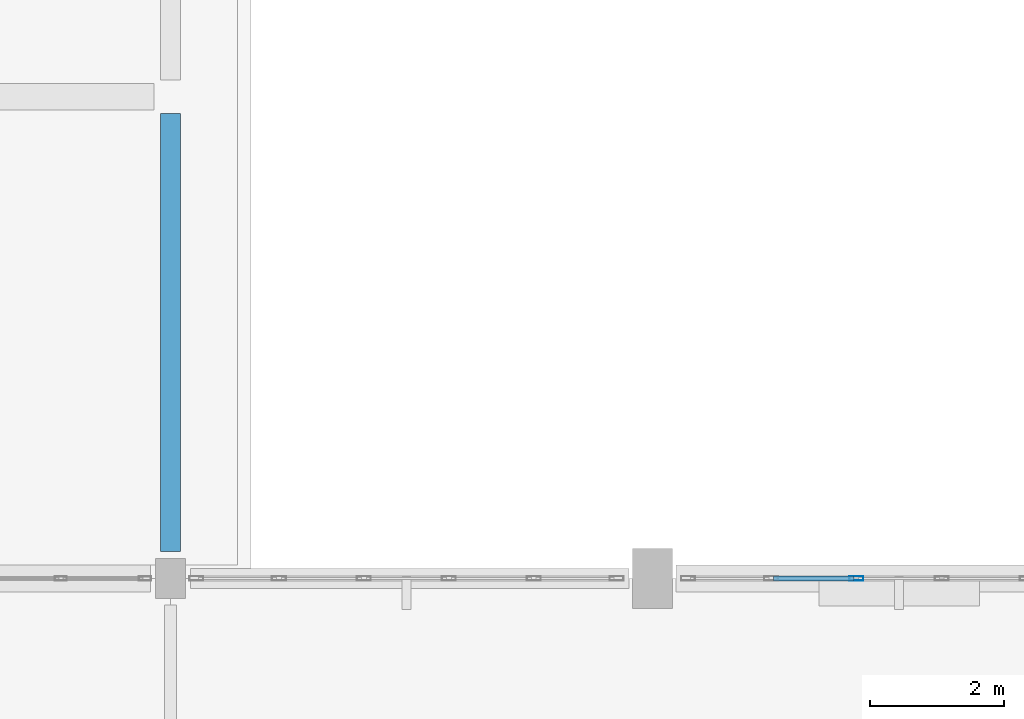
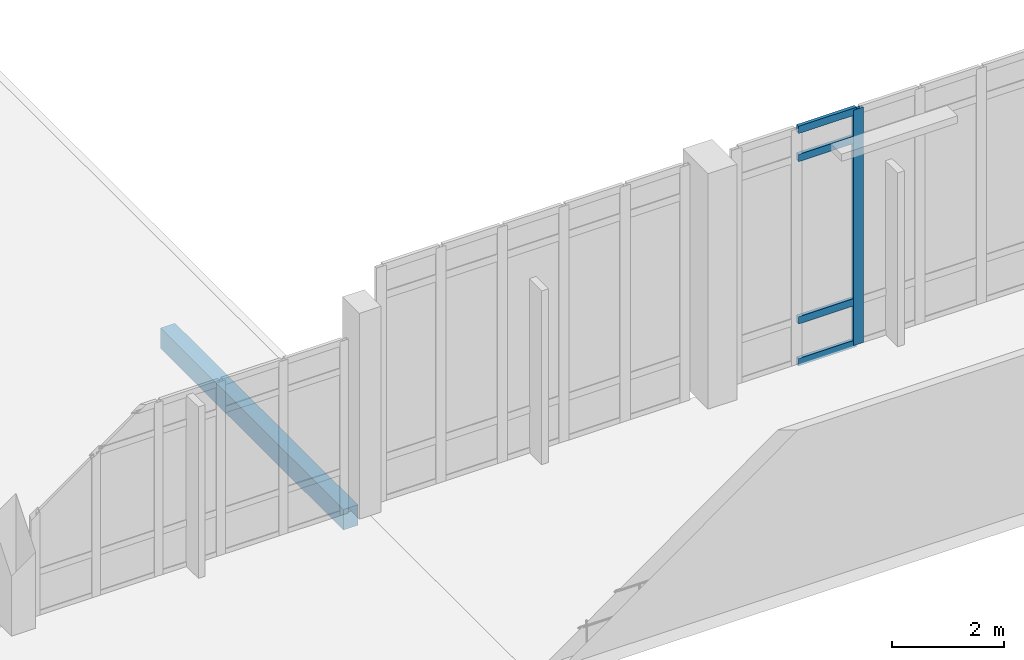
# One storey, part 42 of 134: 5 members, 1 beam, 1 element without a shape of its own.
"""IFC4 building model written with IfcOpenShell, lengths in metres."""

from ifc_helpers import new_model, si_unit, direction, frame, origin, origin_2d, place, context, subcontext, project, spatial, rectangle, hollow_rectangle, extrude, material, material_profile, profile_set, type_object, element, aggregate, save


model = new_model("IFC4")

# Units and contexts
model_context = context("Model", 3, precision=1e-05, world=origin(), true_north=direction((0.0, 1.0)))
body_context = subcontext(model_context, "Body", "Model", "MODEL_VIEW")
ifc_project = project(units=[si_unit("LENGTHUNIT", "METRE"), si_unit("AREAUNIT", "SQUARE_METRE"), si_unit("VOLUMEUNIT", "CUBIC_METRE"), si_unit("PLANEANGLEUNIT", "RADIAN"), si_unit("MASSUNIT", "GRAM", prefix="KILO")], contexts=[model_context])

# Site, building, storey
site_placement = place(None, origin())
site = spatial("IfcSite", under=ifc_project, at=site_placement, CompositionType="ELEMENT")
building_placement = place(site_placement, origin())
building = spatial("IfcBuilding", under=site, at=building_placement, Name="Kalluvel Institute of Natural Sciences", CompositionType="ELEMENT")
storey_placement = place(building_placement, frame((0.0, 0.0, 5.39990234375)))
storey = spatial("IfcBuildingStorey", under=building, at=storey_placement, Name="L01", CompositionType="ELEMENT", Elevation=5.39990234375)

# Curtain wall, members
ifc_material_1 = material(Name="Aluminium AW-6063 T6", Category="aluminium")
curtain_wall_type = type_object("IfcCurtainWallType", Name="CW-SPAV-45", PredefinedType="USERDEFINED", material=ifc_material_1)
curtain_wall_placement = place(storey_placement, origin())
curtain_wall = element("IfcCurtainWall", 1, at=curtain_wall_placement, inside=storey, type_object=curtain_wall_type, Name="L01 Gothic lancet curtain wall CWA-L01-X1225-Y356", ObjectType="UNITISED LANCET FACADE", PredefinedType="USERDEFINED")
ifc_material_profile_1 = material_profile(ifc_material_1, hollow_rectangle(XDim=0.070068359375, YDim=0.2099609375, WallThickness=0.0048828125, at=origin_2d()), Name="CWM 70x210")
ifc_profile_set_1 = profile_set([ifc_material_profile_1], Name="Aluminium AW-6063 T6")
member_type_1 = type_object("IfcMemberType", Name="CWM-70x210", PredefinedType="MULLION", material=ifc_profile_set_1)
member_1_placement = place(storey_placement, frame((125.050048828125, 35.60009765625, 0.0), z_axis=(0.0, 0.0, 1.0), x_axis=(0.0, 1.0, 0.0)))
member_1 = element("IfcMember", 2, at=member_1_placement, type_object=member_type_1, Name="CW-10 mullion 3", PredefinedType="MULLION", context=body_context, shape_type="SweptSolid", body=[
    extrude(hollow_rectangle(XDim=0.070068359375, YDim=0.2099609375, WallThickness=0.0048828125, at=origin_2d()), origin(), (0.0, 0.0, 1.0), 5.150146484375),
])
ifc_material_profile_2 = material_profile(ifc_material_1, hollow_rectangle(XDim=0.070068359375, YDim=0.159912109375, WallThickness=0.0048828125, at=origin_2d()), Name="CWT 70x160")
ifc_profile_set_2 = profile_set([ifc_material_profile_2], Name="Aluminium AW-6063 T6")
member_type_2 = type_object("IfcMemberType", Name="CWT-70x160", PredefinedType="USERDEFINED", material=ifc_profile_set_2)
member_2_placement = place(storey_placement, frame((123.81005859375, 35.60009765625, 0.03515625), z_axis=(1.0, 0.0, 0.0), x_axis=(0.0, 1.0, 0.0)))
member_2 = element("IfcMember", 3, at=member_2_placement, type_object=member_type_2, Name="CW-10 transom 2.1", ObjectType="TRANSOM", PredefinedType="USERDEFINED", context=body_context, shape_type="SweptSolid", body=[
    extrude(hollow_rectangle(XDim=0.070068359375, YDim=0.159912109375, WallThickness=0.0048828125, at=origin_2d()), origin(), (0.0, 0.0, 1.0), 1.204833984375),
])
member_3_placement = place(storey_placement, frame((123.81005859375, 35.60009765625, 0.9501953125), z_axis=(1.0, 0.0, 0.0), x_axis=(0.0, 1.0, 0.0)))
member_3 = element("IfcMember", 4, at=member_3_placement, type_object=member_type_2, Name="CW-10 transom 2.2", ObjectType="TRANSOM", PredefinedType="USERDEFINED", context=body_context, shape_type="SweptSolid", body=[
    extrude(hollow_rectangle(XDim=0.070068359375, YDim=0.159912109375, WallThickness=0.0048828125, at=origin_2d()), origin(), (0.0, 0.0, 1.0), 1.204833984375),
])
member_4_placement = place(storey_placement, frame((123.81005859375, 35.60009765625, 4.5), z_axis=(1.0, 0.0, 0.0), x_axis=(0.0, 1.0, 0.0)))
member_4 = element("IfcMember", 5, at=member_4_placement, type_object=member_type_2, Name="CW-10 transom 2.3", ObjectType="TRANSOM", PredefinedType="USERDEFINED", context=body_context, shape_type="SweptSolid", body=[
    extrude(hollow_rectangle(XDim=0.070068359375, YDim=0.159912109375, WallThickness=0.0048828125, at=origin_2d()), origin(), (0.0, 0.0, 1.0), 1.204833984375),
])
member_5_placement = place(storey_placement, frame((123.81005859375, 35.60009765625, 5.114990234375), z_axis=(1.0, 0.0, 0.0), x_axis=(0.0, 1.0, 0.0)))
member_5 = element("IfcMember", 6, at=member_5_placement, type_object=member_type_2, Name="CW-10 transom 2.4", ObjectType="TRANSOM", PredefinedType="USERDEFINED", context=body_context, shape_type="SweptSolid", body=[
    extrude(hollow_rectangle(XDim=0.070068359375, YDim=0.159912109375, WallThickness=0.0048828125, at=origin_2d()), origin(), (0.0, 0.0, 1.0), 1.204833984375),
])
aggregate(curtain_wall, [member_1, member_2, member_3, member_4, member_5])

# Beam
ifc_material_2 = material(Name="Concrete M40", Category="concrete")
ifc_material_profile_3 = material_profile(ifc_material_2, rectangle(XDim=0.300048828125, YDim=0.449951171875, at=origin_2d()), Name="RCB 300x450")
ifc_profile_set_3 = profile_set([ifc_material_profile_3], Name="Concrete M40")
beam_type = type_object("IfcBeamType", Name="SP-RC300x450", PredefinedType="SPANDREL", material=ifc_profile_set_3)
beam_placement = place(storey_placement, frame((114.800048828125, 36.0, -0.46484375), z_axis=(0.0, 1.0, 0.0), x_axis=(-1.0, 0.0, 0.0)))
element("IfcBeam", 7, at=beam_placement, inside=storey, type_object=beam_type, Name="L01 girder GIR-L01-NS-X1148-Y356", PredefinedType="SPANDREL", context=body_context, shape_type="SweptSolid", body=[
    extrude(rectangle(XDim=0.300048828125, YDim=0.449951171875, at=origin_2d()), origin(), (0.0, 0.0, 1.0), 6.550048828125),
])

save(model, "model.ifc")
